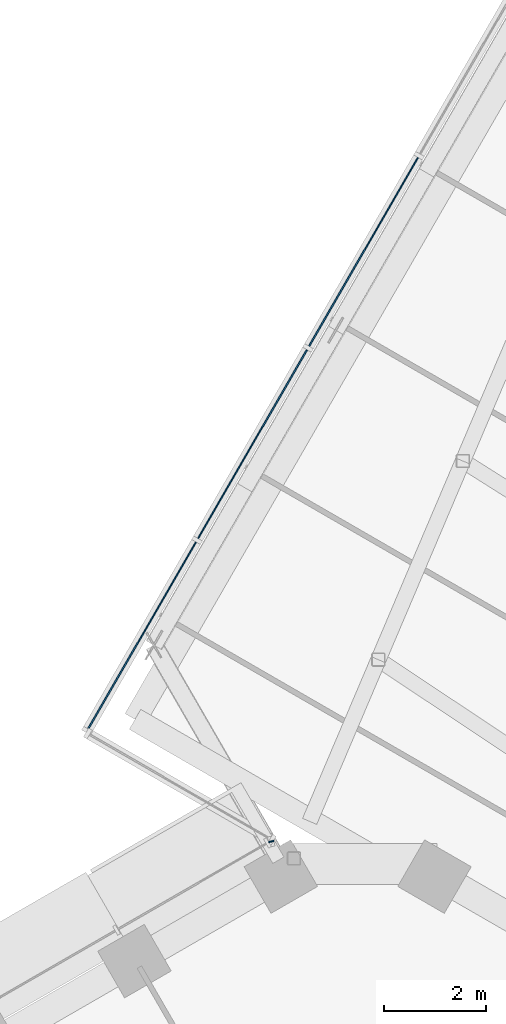
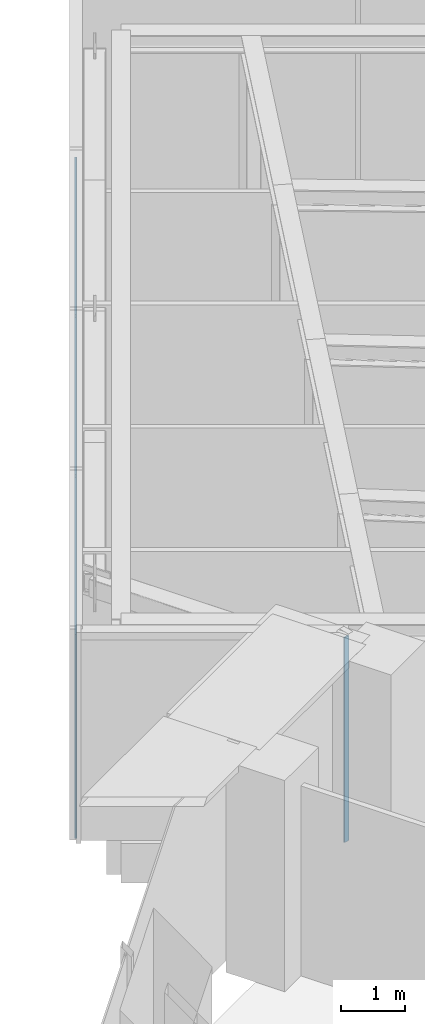
# One storey, part 17 of 28: 4 plates, 2 elements without a shape of their own.
"""IFC4 building model written with IfcOpenShell, lengths in metres."""

from ifc_helpers import new_model, si_unit, direction, frame, origin, origin_2d, place, context, subcontext, project, spatial, rectangle, extrude, material, layer, layer_set, type_object, element, aggregate, save


model = new_model("IFC4")

# Units and contexts
model_context = context("Model", 3, precision=1e-05, world=origin(), true_north=direction((0.0, 1.0)))
body_context = subcontext(model_context, "Body", "Model", "MODEL_VIEW")
ifc_project = project(units=[si_unit("LENGTHUNIT", "METRE"), si_unit("AREAUNIT", "SQUARE_METRE"), si_unit("VOLUMEUNIT", "CUBIC_METRE"), si_unit("PLANEANGLEUNIT", "RADIAN"), si_unit("MASSUNIT", "GRAM", prefix="KILO")], contexts=[model_context])

# Site, building, storey
site_placement = place(None, origin())
site = spatial("IfcSite", under=ifc_project, at=site_placement, CompositionType="ELEMENT")
building_placement = place(site_placement, origin())
building = spatial("IfcBuilding", under=site, at=building_placement, Name="Ayvan Gate Tower", CompositionType="ELEMENT")
storey_placement = place(building_placement, frame((0.0, 0.0, 143.89990234375)))
storey = spatial("IfcBuildingStorey", under=building, at=storey_placement, Name="L38", CompositionType="ELEMENT", Elevation=143.89990234375)

# Curtain wall, plates
ifc_material_1 = material(Name="Bronze anodised aluminium", Category="aluminium")
ifc_layer_1 = layer(ifc_material_1, 0.199951171875)
ifc_layer_set_1 = layer_set([ifc_layer_1], Name="Bronze anodised aluminium")
curtain_wall_type_1 = type_object("IfcCurtainWallType", Name="Stick curtain wall CW-4", PredefinedType="NOTDEFINED", material=ifc_layer_set_1)
curtain_wall_1_placement = place(storey_placement, origin())
curtain_wall_1 = element("IfcCurtainWall", 1, at=curtain_wall_1_placement, inside=storey, type_object=curtain_wall_type_1, Name="Stick curtain wall CW-4 L38", PredefinedType="NOTDEFINED")
ifc_material_2 = material(Name="Pale anodised aluminium composite panel", Category="aluminium")
ifc_layer_2 = layer(ifc_material_2, 0.028076171875)
ifc_layer_set_2 = layer_set([ifc_layer_2], Name="Pale anodised aluminium composite panel")
plate_type_1 = type_object("IfcPlateType", Name="Stick curtain wall CW-4 solid panel", PredefinedType="CURTAIN_PANEL", material=ifc_layer_set_2)
plate_1_placement = place(storey_placement, frame((-0.9814453125, 33.2001953125, 0.0), z_axis=(0.0, 0.0, 1.0), x_axis=(-0.5, -0.866025403784, 0.0)))
plate_1 = element("IfcPlate", 2, at=plate_1_placement, type_object=plate_type_1, Name="CW-4 solid panel 2", PredefinedType="CURTAIN_PANEL", context=body_context, shape_type="SweptSolid", body=[
    extrude(rectangle(XDim=4.2548828125, YDim=0.028076171875, at=origin_2d()), origin(), (0.0, 0.0, 1.0), 3.860107421875),
])
plate_2_placement = place(storey_placement, frame((-3.14892578125, 29.446044921875, 0.0), z_axis=(0.0, 0.0, 1.0), x_axis=(-0.5, -0.866025403784, 0.0)))
plate_2 = element("IfcPlate", 3, at=plate_2_placement, type_object=plate_type_1, Name="CW-4 solid panel 3", PredefinedType="CURTAIN_PANEL", context=body_context, shape_type="SweptSolid", body=[
    extrude(rectangle(XDim=4.2548828125, YDim=0.028076171875, at=origin_2d()), origin(), (0.0, 0.0, 1.0), 3.860107421875),
])
plate_3_placement = place(storey_placement, frame((-5.316162109375, 25.69189453125, 0.0), z_axis=(0.0, 0.0, 1.0), x_axis=(-0.5, -0.866025403784, 0.0)))
plate_3 = element("IfcPlate", 4, at=plate_3_placement, type_object=plate_type_1, Name="CW-4 solid panel 4", PredefinedType="CURTAIN_PANEL", context=body_context, shape_type="SweptSolid", body=[
    extrude(rectangle(XDim=4.2548828125, YDim=0.028076171875, at=origin_2d()), origin(), (0.0, 0.0, 1.0), 3.860107421875),
])
aggregate(curtain_wall_1, [plate_1, plate_2, plate_3])

# Curtain wall, plate
ifc_layer_3 = layer(ifc_material_1, 0.199951171875)
ifc_layer_set_3 = layer_set([ifc_layer_3], Name="Bronze anodised aluminium")
curtain_wall_type_2 = type_object("IfcCurtainWallType", Name="Stick curtain wall CW-6", PredefinedType="NOTDEFINED", material=ifc_layer_set_3)
curtain_wall_2_placement = place(storey_placement, origin())
curtain_wall_2 = element("IfcCurtainWall", 5, at=curtain_wall_2_placement, inside=storey, type_object=curtain_wall_type_2, Name="Stick curtain wall CW-6 L38", PredefinedType="NOTDEFINED")
ifc_material_3 = material(Name="Clear low-iron laminated glass", Category="glass")
ifc_layer_4 = layer(ifc_material_3, 0.028076171875)
ifc_layer_set_4 = layer_set([ifc_layer_4], Name="Clear low-iron laminated glass")
plate_type_2 = type_object("IfcPlateType", Name="Stick curtain wall CW-6 glass panel", PredefinedType="CURTAIN_PANEL", material=ifc_layer_set_4)
plate_4_placement = place(storey_placement, frame((-2.783447265625, 21.686279296875, 0.000244140625), z_axis=(0.0, 0.0, 1.0), x_axis=(-0.965925826289, -0.258819045103, 0.0)))
plate_4 = element("IfcPlate", 6, at=plate_4_placement, type_object=plate_type_2, Name="CW-6 glass panel 1", PredefinedType="CURTAIN_PANEL", context=body_context, shape_type="SweptSolid", body=[
    extrude(rectangle(XDim=0.099365234375, YDim=0.028076171875, at=origin_2d()), origin(), (0.0, 0.0, 1.0), 3.8798828125),
])
aggregate(curtain_wall_2, [plate_4])

save(model, "model.ifc")
